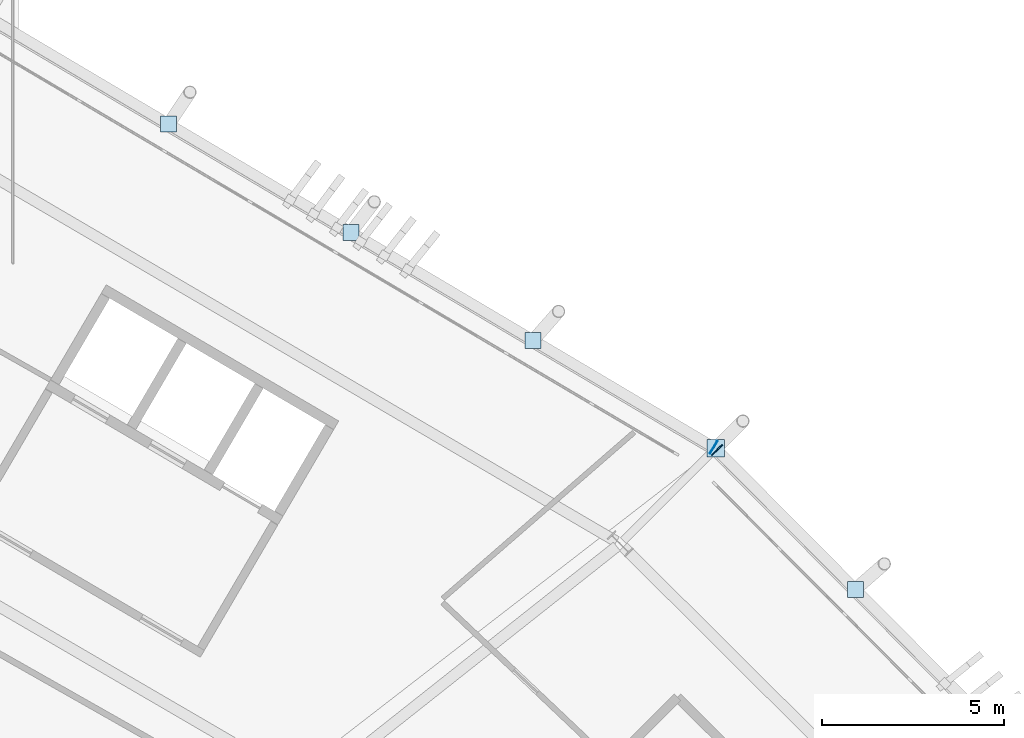
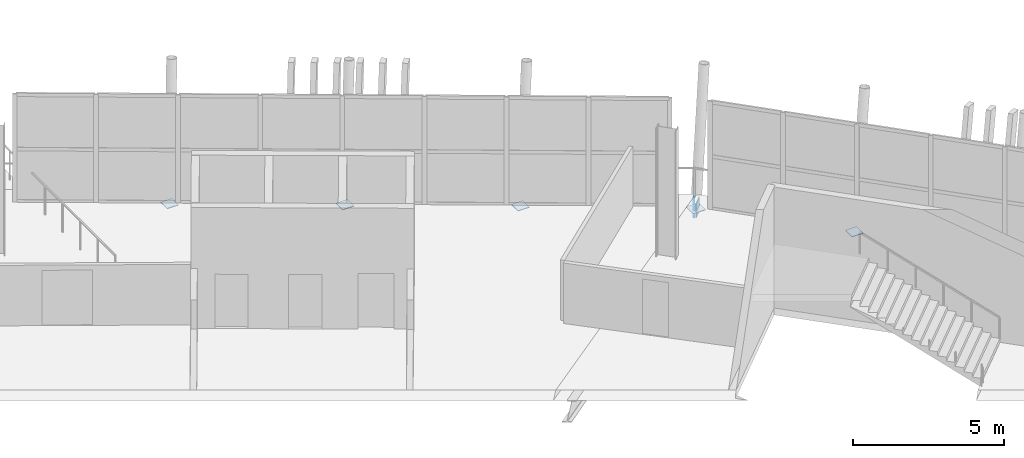
# One storey, part 114 of 168: 7 plates.
"""IFC4 building model written with IfcOpenShell, lengths in metres."""

import ifcopenshell
import ifcopenshell.guid

model = None  # the IFC model being written
_history = None  # IfcOwnerHistory: only IFC2X3 demands one
_inside = {}  # id of a spatial element -> (the spatial element, [elements in it])
_under = {}  # id of a project, library or spatial element -> (it, [spatial elements below it])
_declared = {}  # id of a project -> (the project, [libraries it declares])
_typed = {}  # id of a type object -> (the type object, [elements of that type])
_made_of = {}  # id of a material, layer set ... -> (it, [elements and type objects made of it])


def new_model(schema):
    """Start an empty IFC model of exactly this schema.

    Asked for "IFC4X3", IfcOpenShell would pick the latest addendum, in which some entities
    have other attributes; the version numbers below select the first issue.
    IFC2X3 requires an IfcOwnerHistory on every rooted entity: one is made here for all.
    """
    global model, _history
    if schema == "IFC4X3":
        model = ifcopenshell.file(schema_version=(4, 3, 0, 0))
    else:
        model = ifcopenshell.file(schema=schema)
    _inside.clear()
    _under.clear()
    _declared.clear()
    _typed.clear()
    _made_of.clear()
    _history = None
    if model.schema == "IFC2X3":
        org = make("IfcOrganization", Name="unknown")
        user = make(
            "IfcPersonAndOrganization",
            ThePerson=make("IfcPerson", FamilyName="unknown"),
            TheOrganization=org,
        )
        app = make(
            "IfcApplication",
            ApplicationDeveloper=org,
            Version="unknown",
            ApplicationFullName="unknown",
            ApplicationIdentifier="unknown",
        )
        _history = make(
            "IfcOwnerHistory",
            OwningUser=user,
            OwningApplication=app,
            ChangeAction="ADDED",
            CreationDate=0,
        )
    return model


def make(cls, **values):
    """One entity of the class cls with the attributes given. An attribute that is None is left unset."""
    return model.create_entity(
        cls, **{name: value for name, value in values.items() if value is not None}
    )


def rooted(cls, **values):
    """An entity with a GlobalId (a new one), such as an element, a storey or a relation."""
    return make(cls, GlobalId=ifcopenshell.guid.new(), OwnerHistory=_history, **values)


def si_unit(unit_type, name, prefix=None):
    """IfcSIUnit, for example si_unit("LENGTHUNIT", "METRE", prefix="MILLI")."""
    return make("IfcSIUnit", UnitType=unit_type, Prefix=prefix, Name=name)


def assignment(units):
    """IfcUnitAssignment: the units of a project."""
    return None if units is None else make("IfcUnitAssignment", Units=units)


def point(xyz):
    """IfcCartesianPoint."""
    return None if xyz is None else make("IfcCartesianPoint", Coordinates=xyz)


def direction(xyz):
    """IfcDirection."""
    return None if xyz is None else make("IfcDirection", DirectionRatios=xyz)


def frame(location, z_axis=None, x_axis=None):
    """IfcAxis2Placement3D, a coordinate frame: its origin and axes. An axis left out is left unset."""
    return make(
        "IfcAxis2Placement3D",
        Location=point(location),
        Axis=direction(z_axis),
        RefDirection=direction(x_axis),
    )


def frame_2d(location, x_axis=None):
    """IfcAxis2Placement2D, a coordinate frame in the plane: its origin and x axis."""
    return make(
        "IfcAxis2Placement2D", Location=point(location), RefDirection=direction(x_axis)
    )


def origin():
    """The frame at (0, 0, 0) with its axes left unset."""
    return frame((0.0, 0.0, 0.0))


def origin_2d():
    """The frame at (0, 0) in the plane with its x axis left unset."""
    return frame_2d((0.0, 0.0))


def place(relative_to, where):
    """IfcLocalPlacement: puts the frame where relative to a parent placement (None: the world)."""
    return make(
        "IfcLocalPlacement", PlacementRelTo=relative_to, RelativePlacement=where
    )


def context(
    kind, dimensions, precision=None, world=None, true_north=None, identifier=None
):
    """IfcGeometricRepresentationContext, for example the 3D "Model" context."""
    return make(
        "IfcGeometricRepresentationContext",
        ContextIdentifier=identifier,
        ContextType=kind,
        CoordinateSpaceDimension=dimensions,
        Precision=precision,
        WorldCoordinateSystem=world,
        TrueNorth=true_north,
    )


def subcontext(parent, identifier, kind, view, scale=None):
    """IfcGeometricRepresentationSubContext, for example "Body" below "Model"."""
    return make(
        "IfcGeometricRepresentationSubContext",
        ContextIdentifier=identifier,
        ContextType=kind,
        ParentContext=parent,
        TargetScale=scale,
        TargetView=view,
    )


def project(units=None, contexts=None):
    """IfcProject with its units and contexts."""
    return rooted(
        "IfcProject",
        Name="project",
        RepresentationContexts=contexts,
        UnitsInContext=assignment(units),
    )


def spatial(cls, under=None, at=None, **own):
    """A site, building, storey or space (cls), placed at a placement, below another one or the project."""
    s = rooted(cls, ObjectPlacement=at, **own)
    if under is not None:
        _under.setdefault(under.id(), (under, []))[1].append(s)
    return s


def profile(cls, at=None, kind="AREA", **sizes):
    """A parametric profile (cls). Its sizes go by their IFC names, for example OverallWidth=200.0."""
    return make(cls, ProfileType=kind, Position=at, **sizes)


def rectangle(**sizes):
    """IfcRectangleProfileDef."""
    return profile("IfcRectangleProfileDef", **sizes)


def extrude(swept, where, along, depth):
    """IfcExtrudedAreaSolid: the profile swept, set in the frame where, extruded along a direction by depth."""
    return make(
        "IfcExtrudedAreaSolid",
        SweptArea=swept,
        Position=where,
        ExtrudedDirection=direction(along),
        Depth=depth,
    )


def shape(context_of_items, identifier, shape_type, items):
    """IfcShapeRepresentation: the items that make up one representation, for example the "Body"."""
    return make(
        "IfcShapeRepresentation",
        ContextOfItems=context_of_items,
        RepresentationIdentifier=identifier,
        RepresentationType=shape_type,
        Items=items,
    )


def material(Name=None, Category=None):
    """IfcMaterial."""
    return make("IfcMaterial", Name=Name, Category=Category)


def layer(
    of_material, thickness, ventilated=None, Name=None, Category=None, Priority=None
):
    """IfcMaterialLayer: one layer of a wall or slab, of a material (None: an air gap)."""
    return make(
        "IfcMaterialLayer",
        Material=of_material,
        LayerThickness=thickness,
        IsVentilated=ventilated,
        Name=Name,
        Category=Category,
        Priority=Priority,
    )


def layer_set(layers, Name=None):
    """IfcMaterialLayerSet."""
    return make("IfcMaterialLayerSet", MaterialLayers=layers, LayerSetName=Name)


def made_of(thing, what):
    """Note that an element or type object is made of a material, layer set ...; save() writes the relation."""
    if what is not None:
        _made_of.setdefault(what.id(), (what, []))[1].append(thing)
    return thing


def type_object(cls, material=None, **own):
    """A type object (cls), such as IfcWallType, which elements share."""
    return made_of(rooted(cls, **own), material)


def element(
    cls,
    number,
    at=None,
    inside=None,
    cuts=None,
    type_object=None,
    material=None,
    context=None,
    identifier="Body",
    shape_type=None,
    held_by="IfcProductDefinitionShape",
    body=None,
    shapes=None,
    **own,
):
    """One element of the class cls, such as IfcWall. Its Tag is "e" and its number.

    at: its placement. inside: the storey or other place that contains it. cuts: it is an
    opening in that element (IfcRelVoidsElement). A single representation is given by context,
    identifier, shape_type and body (its items); several are given by shapes. held_by: the class
    of the entity that holds the representations. save() writes the other relations.
    """
    e = rooted(cls, Tag="e%d" % number, ObjectPlacement=at, **own)
    if body is not None:
        shapes = [shape(context, identifier, shape_type, body)]
    if shapes is not None:
        e.Representation = make(held_by, Representations=shapes)
    if inside is not None:
        _inside.setdefault(inside.id(), (inside, []))[1].append(e)
    if cuts is not None:
        rooted(
            "IfcRelVoidsElement", RelatingBuildingElement=cuts, RelatedOpeningElement=e
        )
    if type_object is not None:
        _typed.setdefault(type_object.id(), (type_object, []))[1].append(e)
    return made_of(e, material)


def aggregate(whole, parts):
    """IfcRelAggregates: a whole, such as a stair, and the parts it consists of."""
    return rooted("IfcRelAggregates", RelatingObject=whole, RelatedObjects=parts)


def save(model, path):
    """Write the relations noted so far, then the file.

    IfcRelAggregates (storeys below a building ...), IfcRelContainedInSpatialStructure (elements
    in a storey), IfcRelDefinesByType, IfcRelAssociatesMaterial and IfcRelDeclares: one each for
    every whole, place, type object, material and project.
    """
    for whole, parts in _under.values():
        aggregate(whole, parts)
    for where, things in _inside.values():
        rooted(
            "IfcRelContainedInSpatialStructure",
            RelatedElements=things,
            RelatingStructure=where,
        )
    for kind, things in _typed.values():
        rooted("IfcRelDefinesByType", RelatedObjects=things, RelatingType=kind)
    for what, things in _made_of.values():
        rooted("IfcRelAssociatesMaterial", RelatedObjects=things, RelatingMaterial=what)
    for by, libraries in _declared.values():
        rooted("IfcRelDeclares", RelatingContext=by, RelatedDefinitions=libraries)
    model.write(path)


model = new_model("IFC4")

# Units and contexts
model_context = context("Model", 3, precision=1e-05, world=origin(), true_north=direction((0.0, 1.0)))
body_context = subcontext(model_context, "Body", "Model", "MODEL_VIEW")
ifc_project = project(units=[si_unit("LENGTHUNIT", "METRE"), si_unit("AREAUNIT", "SQUARE_METRE"), si_unit("VOLUMEUNIT", "CUBIC_METRE"), si_unit("PLANEANGLEUNIT", "RADIAN"), si_unit("MASSUNIT", "GRAM", prefix="KILO")], contexts=[model_context])

# Site, building, storey
site_placement = place(None, origin())
site = spatial("IfcSite", under=ifc_project, at=site_placement, CompositionType="ELEMENT")
building_placement = place(site_placement, origin())
building = spatial("IfcBuilding", under=site, at=building_placement, Name="Zlatoyarsky Gate Stadium", CompositionType="ELEMENT")
storey_placement = place(building_placement, frame((0.0, 0.0, 15.60009765625)))
storey = spatial("IfcBuildingStorey", under=building, at=storey_placement, Name="L03", CompositionType="ELEMENT", Elevation=15.60009765625)

# Plates
ifc_material = material(Name="Steel S355", Category="steel")
ifc_layer = layer(ifc_material, 0.02392578125)
ifc_layer_set = layer_set([ifc_layer], Name="Steel S355")
plate_type = type_object("IfcPlateType", Name="STEEL HOLLOW CHORD SPLICE SHEET 24", PredefinedType="SHEET", material=ifc_layer_set)
for number, where, z_axis, x_axis, name in (
    (1, (179.421142578125, 132.77978515625, -0.830078125), (0.0, 0.0, 1.0), (-0.70472967068, 0.709475927191, 0.0), "Hollow end cap ND-SP1 CAP-L03-SPD-02 B"),
    (2, (179.3271484375, 132.85302734375, -0.830078125), (0.0, 0.0, 1.0), (-0.860228734412, 0.50990834911, 0.0), "Hollow end cap ND-SP1 CAP-L03-SPD-03 A"),
):
    element("IfcPlate", number, at=place(storey_placement, frame(where, z_axis=z_axis, x_axis=x_axis)), inside=storey, type_object=plate_type, Name=name, PredefinedType="SHEET", context=body_context, shape_type="SweptSolid", body=[
        extrude(rectangle(XDim=0.02392578125, YDim=0.39990234375, at=origin_2d()), origin(), (0.0, 0.0, 1.0), 0.60009765625),
    ])
plate_placement = place(storey_placement, frame((179.37890625, 132.822509765625, -0.592041015625), z_axis=(0.0, 0.0, 1.0), x_axis=(1.0, 0.0, 0.0)))
element("IfcPlate", 3, at=plate_placement, inside=storey, type_object=plate_type, Name="Node closure plate ND-SP1 NCAP-L03-RSTR-03", PredefinedType="SHEET", context=body_context, shape_type="SweptSolid", body=[
    extrude(rectangle(XDim=0.47998046875, YDim=0.47998046875, at=origin_2d()), origin(), (0.0, 0.0, 1.0), 0.02392578125),
])
for number, where, z_axis, x_axis, name in (
    (4, (183.220703125, 128.95458984375, -0.5419921875), (0.0, 0.0, 1.0), (1.0, 0.0, 0.0), "Node closure plate ND-SP1 NCAP-RIB-02-3-1T"),
    (5, (174.371826171875, 135.790283203125, -0.5419921875), (0.0, 0.0, 1.0), (1.0, 0.0, 0.0), "Node closure plate ND-SP1 NCAP-RIB-03-1-1T"),
    (6, (169.364990234375, 138.75830078125, -0.5419921875), (0.0, 0.0, 1.0), (1.0, 0.0, 0.0), "Node closure plate ND-SP1 NCAP-RIB-03-2-1T"),
    (7, (164.35791015625, 141.72607421875, -0.5419921875), (0.0, 0.0, 1.0), (1.0, 0.0, 0.0), "Node closure plate ND-SP1 NCAP-RIB-03-3-1T"),
):
    element("IfcPlate", number, at=place(storey_placement, frame(where, z_axis=z_axis, x_axis=x_axis)), inside=storey, type_object=plate_type, Name=name, PredefinedType="SHEET", context=body_context, shape_type="SweptSolid", body=[
        extrude(rectangle(XDim=0.43994140625, YDim=0.43994140625, at=origin_2d()), origin(), (0.0, 0.0, 1.0), 0.02392578125),
    ])

save(model, "model.ifc")
